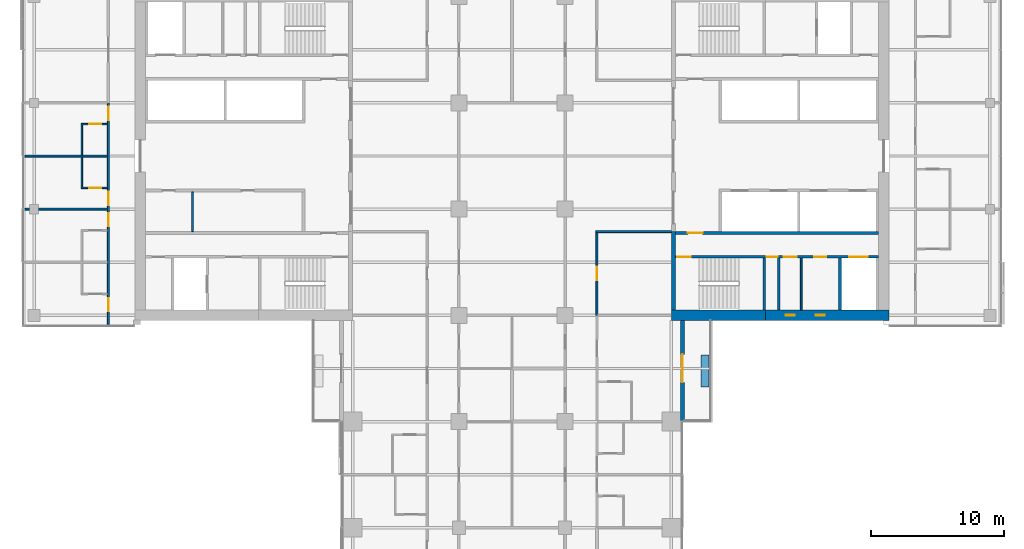
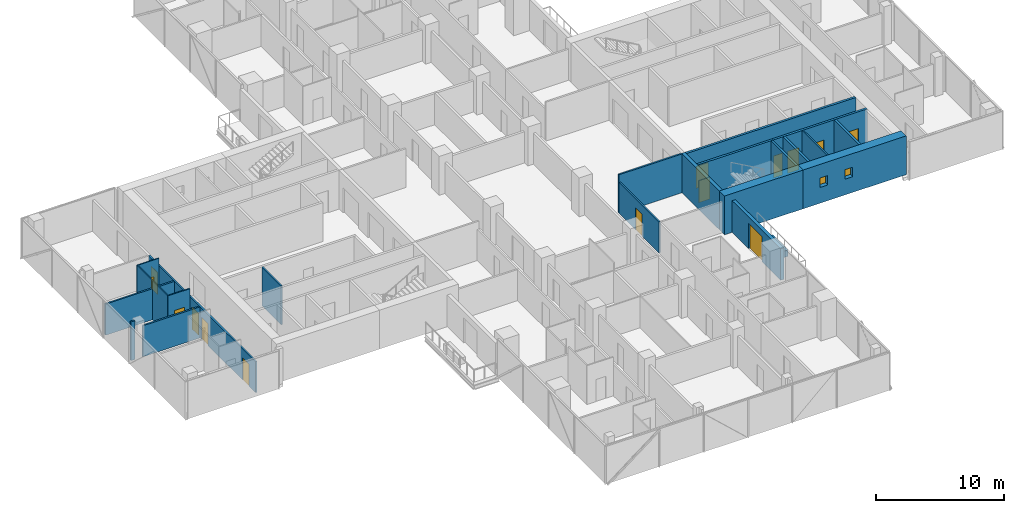
# One storey, part 17 of 27: 23 walls, 14 doors, 2 windows, 16 openings.
"""IFC4 building model written with IfcOpenShell, lengths in metres."""

from ifc_helpers import new_model, si_unit, direction, frame, frame_2d, origin, place, context, subcontext, project, spatial, rectangle, extrude, material, layer, layer_set, constituent, constituent_set, type_object, element, fill, save


model = new_model("IFC4")

# Units and contexts
model_context = context("Model", 3, precision=1e-05, world=origin(), true_north=direction((0.0, 1.0)))
body_context = subcontext(model_context, "Body", "Model", "MODEL_VIEW")
ifc_project = project(units=[si_unit("LENGTHUNIT", "METRE"), si_unit("AREAUNIT", "SQUARE_METRE"), si_unit("VOLUMEUNIT", "CUBIC_METRE"), si_unit("PLANEANGLEUNIT", "RADIAN"), si_unit("MASSUNIT", "GRAM", prefix="KILO")], contexts=[model_context])

# Site, building, storey
site_placement = place(None, origin())
site = spatial("IfcSite", under=ifc_project, at=site_placement, CompositionType="ELEMENT")
building_placement = place(site_placement, origin())
building = spatial("IfcBuilding", under=site, at=building_placement, Name="Crosswind Convention Tower", CompositionType="ELEMENT")
storey_placement = place(building_placement, frame((0.0, 0.0, 79.39990234375)))
storey = spatial("IfcBuildingStorey", under=building, at=storey_placement, Name="L14", CompositionType="ELEMENT", Elevation=79.39990234375)

# Walls
ifc_material_1 = material(Name="Concrete blockwork", Category="masonry")
ifc_layer_1 = layer(ifc_material_1, 0.199951171875)
ifc_layer_set_1 = layer_set([ifc_layer_1], Name="Blockwork partition wall 200")
wall_type_1 = type_object("IfcWallType", Name="Blockwork partition wall 200", PredefinedType="PARTITIONING", material=ifc_layer_set_1)
wall_1_placement = place(storey_placement, frame((145.10009765625, 88.39990234375, 0.0), z_axis=(0.0, 0.0, 1.0), x_axis=(0.0, 1.0, 0.0)))
element("IfcWall", 1, at=wall_1_placement, inside=storey, type_object=wall_type_1, Name="Wall MRSE E L14", PredefinedType="PARTITIONING", context=body_context, shape_type="SweptSolid", body=[
    extrude(rectangle(XDim=3.900146484375, YDim=0.199951171875, at=frame_2d((1.9501953125, 0.0))), origin(), (0.0, 0.0, 1.0), 3.7001953125),
])
ifc_material_2 = material(Name="Plasterboard partition", Category="gypsum")
ifc_layer_2 = layer(ifc_material_2, 0.14990234375)
ifc_layer_set_2 = layer_set([ifc_layer_2], Name="CORRIDOR WALL 150")
wall_type_2 = type_object("IfcWallType", Name="CORRIDOR WALL 150", PredefinedType="PARTITIONING", material=ifc_layer_set_2)
wall_2_placement = place(storey_placement, frame((131.324951171875, 94.300048828125, 0.0), z_axis=(0.0, 0.0, 1.0), x_axis=(1.0, 0.0, 0.0)))
element("IfcWall", 2, at=wall_2_placement, inside=storey, type_object=wall_type_2, Name="Corridor Wall 24", PredefinedType="PARTITIONING", context=body_context, shape_type="SweptSolid", body=[
    extrude(rectangle(XDim=5.675048828125, YDim=0.14990234375, at=frame_2d((2.83740234375, 0.0))), origin(), (0.0, 0.0, 1.0), 3.7001953125),
])

# Wall, opening, door
wall_3_placement = place(storey_placement, frame((131.39990234375, 88.0, 0.0), z_axis=(0.0, 0.0, 1.0), x_axis=(0.0, 1.0, 0.0)))
wall_3 = element("IfcWall", 3, at=wall_3_placement, inside=storey, type_object=wall_type_2, Name="Corridor Wall 110", PredefinedType="PARTITIONING", context=body_context, shape_type="SweptSolid", body=[
    extrude(rectangle(XDim=6.22509765625, YDim=0.14990234375, at=frame_2d((3.112548828125, 0.0))), origin(), (0.0, 0.0, 1.0), 2.95654296875),
])
opening_1_placement = place(wall_3_placement, frame((2.64990234375, 0.0, 0.0)))
opening_1 = element("IfcOpeningElement", 4, at=opening_1_placement, cuts=wall_3, Name="Opening 14.002", PredefinedType="OPENING", context=body_context, shape_type="SweptSolid", body=[
    extrude(rectangle(XDim=1.0, YDim=2.10009765625, at=frame_2d((0.5, 1.050048828125))), frame((0.0, 0.0849609375, 0.0), z_axis=(0.0, -1.0, 0.0), x_axis=(1.0, 0.0, 0.0)), (0.0, 0.0, 1.0), 0.169921875),
])
ifc_material_3 = material(Name="Timber fire door", Category="wood")
door_type_1 = type_object("IfcDoorType", Name="SERVICE ROOM DOOR 1000X2100", OperationType="NOTDEFINED", PredefinedType="DOOR", material=ifc_material_3)
door_1_placement = place(opening_1_placement, frame((1.0, 0.0, 0.0), z_axis=(0.0, 0.0, 1.0), x_axis=(-1.0, 0.0, 0.0)))
door_1 = element("IfcDoor", 5, at=door_1_placement, inside=storey, type_object=door_type_1, Name="Door 14.002", ObjectType="D3", OperationType="SINGLE_SWING_LEFT", OverallHeight=2.10009765625, OverallWidth=1.0, PredefinedType="DOOR", context=body_context, shape_type="SweptSolid", body=[
    extrude(rectangle(XDim=1.0, YDim=2.10009765625, at=frame_2d((0.5, 1.050048828125))), frame((0.0, 0.02490234375, 0.0), z_axis=(0.0, -1.0, 0.0), x_axis=(1.0, 0.0, 0.0)), (0.0, 0.0, 1.0), 0.050048828125),
])
fill(opening_1, door_1)

# Wall
ifc_material_4 = material(Name="Concrete C50/60", Category="concrete")
ifc_layer_3 = layer(ifc_material_4, 0.300048828125)
ifc_layer_set_3 = layer_set([ifc_layer_3], Name="Concrete C50/60")
wall_type_3 = type_object("IfcWallType", Name="Concrete inner core wall 300", PredefinedType="SHEAR", material=ifc_layer_set_3)
wall_4_placement = place(storey_placement, frame((137.14990234375, 88.39990234375, 0.0), z_axis=(0.0, 0.0, 1.0), x_axis=(0.0, 1.0, 0.0)))
element("IfcWall", 6, at=wall_4_placement, inside=storey, type_object=wall_type_3, Name="Wall EM E L14", PredefinedType="SHEAR", context=body_context, shape_type="SweptSolid", body=[
    extrude(rectangle(XDim=5.900146484375, YDim=0.300048828125, at=frame_2d((2.9501953125, 0.0))), origin(), (0.0, 0.0, 1.0), 3.7001953125),
])

# Wall, opening, door
ifc_layer_4 = layer(ifc_material_4, 0.199951171875)
ifc_layer_set_4 = layer_set([ifc_layer_4], Name="Concrete C50/60")
wall_type_4 = type_object("IfcWallType", Name="Concrete shaft and stair wall 200", PredefinedType="SHEAR", material=ifc_layer_set_4)
wall_5_placement = place(storey_placement, frame((137.300048828125, 94.199951171875, 0.0), z_axis=(0.0, 0.0, 1.0), x_axis=(1.0, 0.0, 0.0)))
wall_5 = element("IfcWall", 7, at=wall_5_placement, inside=storey, type_object=wall_type_4, Name="Wall HM E L14", PredefinedType="SHEAR", context=body_context, shape_type="SweptSolid", body=[
    extrude(rectangle(XDim=15.300048828125, YDim=0.199951171875, at=frame_2d((7.64990234375, 0.0))), origin(), (0.0, 0.0, 1.0), 3.7001953125),
])
opening_2_placement = place(wall_5_placement, frame((0.949951171875, 0.0, 0.0)))
opening_2 = element("IfcOpeningElement", 8, at=opening_2_placement, cuts=wall_5, Name="Opening D104", PredefinedType="OPENING", context=body_context, shape_type="SweptSolid", body=[
    extrude(rectangle(XDim=1.10009765625, YDim=2.10009765625, at=frame_2d((0.550048828125, 1.050048828125))), frame((0.0, 0.10986328125, 0.0), z_axis=(0.0, -1.0, 0.0), x_axis=(1.0, 0.0, 0.0)), (0.0, 0.0, 1.0), 0.219970703125),
])
ifc_material_5 = material(Name="Steel fire door", Category="steel")
door_type_2 = type_object("IfcDoorType", Name="Fire-rated single door 1100x2100", OperationType="NOTDEFINED", PredefinedType="DOOR", material=ifc_material_5)
door_2_placement = place(opening_2_placement, origin())
door_2 = element("IfcDoor", 9, at=door_2_placement, inside=storey, type_object=door_type_2, Name="Corridor door L14", ObjectType="D104", OperationType="SINGLE_SWING_LEFT", OverallHeight=2.10009765625, OverallWidth=1.10009765625, PredefinedType="DOOR", context=body_context, shape_type="SweptSolid", body=[
    extrude(rectangle(XDim=1.10009765625, YDim=2.10009765625, at=frame_2d((0.550048828125, 1.050048828125))), frame((0.0, 0.02490234375, 0.0), z_axis=(0.0, -1.0, 0.0), x_axis=(1.0, 0.0, 0.0)), (0.0, 0.0, 1.0), 0.050048828125),
])
fill(opening_2, door_2)

# Walls
for number, where, z_axis, x_axis, name in (
    (10, (144.0, 88.39990234375, 0.0), (0.0, 0.0, 1.0), (0.0, 1.0, 0.0), "Wall MSE E L14"),
    (11, (149.699951171875, 88.39990234375, 0.0), (0.0, 0.0, 1.0), (0.0, 1.0, 0.0), "Wall MFSW E L14"),
):
    element("IfcWall", number, at=place(storey_placement, frame(where, z_axis=z_axis, x_axis=x_axis)), inside=storey, type_object=wall_type_4, Name=name, PredefinedType="SHEAR", context=body_context, shape_type="SweptSolid", body=[
        extrude(rectangle(XDim=3.900146484375, YDim=0.199951171875, at=frame_2d((1.9501953125, 0.0))), origin(), (0.0, 0.0, 1.0), 3.7001953125),
    ])

# Wall, opening, door
wall_6_placement = place(storey_placement, frame((137.300048828125, 92.39990234375, 0.0), z_axis=(0.0, 0.0, 1.0), x_axis=(1.0, 0.0, 0.0)))
wall_6 = element("IfcWall", 12, at=wall_6_placement, inside=storey, type_object=wall_type_4, Name="Wall MCW E L14", PredefinedType="SHEAR", context=body_context, shape_type="SweptSolid", body=[
    extrude(rectangle(XDim=6.800048828125, YDim=0.199951171875, at=frame_2d((3.39990234375, 0.0))), origin(), (0.0, 0.0, 1.0), 3.7001953125),
])
opening_3_placement = place(wall_6_placement, frame((0.14990234375, 0.0, 0.0)))
opening_3 = element("IfcOpeningElement", 13, at=opening_3_placement, cuts=wall_6, Name="Opening D103", PredefinedType="OPENING", context=body_context, shape_type="SweptSolid", body=[
    extrude(rectangle(XDim=1.0, YDim=2.10009765625, at=frame_2d((0.5, 1.050048828125))), frame((0.0, 0.10986328125, 0.0), z_axis=(0.0, -1.0, 0.0), x_axis=(1.0, 0.0, 0.0)), (0.0, 0.0, 1.0), 0.219970703125),
])
door_type_3 = type_object("IfcDoorType", Name="Fire-rated single door 1000x2100", OperationType="NOTDEFINED", PredefinedType="DOOR", material=ifc_material_5)
door_3_placement = place(opening_3_placement, frame((1.0, 0.0, 0.0), z_axis=(0.0, 0.0, 1.0), x_axis=(-1.0, 0.0, 0.0)))
door_3 = element("IfcDoor", 14, at=door_3_placement, inside=storey, type_object=door_type_3, Name="Stair ST2 door L14", ObjectType="D103", OperationType="SINGLE_SWING_RIGHT", OverallHeight=2.10009765625, OverallWidth=1.0, PredefinedType="DOOR", context=body_context, shape_type="SweptSolid", body=[
    extrude(rectangle(XDim=1.0, YDim=2.10009765625, at=frame_2d((0.5, 1.050048828125))), frame((0.0, 0.02490234375, 0.0), z_axis=(0.0, -1.0, 0.0), x_axis=(1.0, 0.0, 0.0)), (0.0, 0.0, 1.0), 0.050048828125),
])
fill(opening_3, door_3)

# Wall, openings, doors
wall_7_placement = place(storey_placement, frame((144.10009765625, 92.39990234375, 0.0), z_axis=(0.0, 0.0, 1.0), x_axis=(1.0, 0.0, 0.0)))
wall_7 = element("IfcWall", 15, at=wall_7_placement, inside=storey, type_object=wall_type_4, Name="Wall MCX E L14", PredefinedType="SHEAR", context=body_context, shape_type="SweptSolid", body=[
    extrude(rectangle(XDim=8.5, YDim=0.199951171875, at=frame_2d((4.25, 0.0))), origin(), (0.0, 0.0, 1.0), 3.7001953125),
])
opening_4_placement = place(wall_7_placement, frame((0.10009765625, 0.0, 0.0)))
opening_4 = element("IfcOpeningElement", 16, at=opening_4_placement, cuts=wall_7, Name="Opening D105", PredefinedType="OPENING", context=body_context, shape_type="SweptSolid", body=[
    extrude(rectangle(XDim=0.800048828125, YDim=2.10009765625, at=frame_2d((0.39990234375, 1.050048828125))), frame((0.0, 0.10986328125, 0.0), z_axis=(0.0, -1.0, 0.0), x_axis=(1.0, 0.0, 0.0)), (0.0, 0.0, 1.0), 0.219970703125),
])
opening_5_placement = place(wall_7_placement, frame((1.36083984375, 0.0, 0.0)))
opening_5 = element("IfcOpeningElement", 17, at=opening_5_placement, cuts=wall_7, Name="Opening D103", PredefinedType="OPENING", context=body_context, shape_type="SweptSolid", body=[
    extrude(rectangle(XDim=1.0, YDim=2.10009765625, at=frame_2d((0.5, 1.050048828125))), frame((0.0, 0.10986328125, 0.0), z_axis=(0.0, -1.0, 0.0), x_axis=(1.0, 0.0, 0.0)), (0.0, 0.0, 1.0), 0.219970703125),
])
opening_6_placement = place(wall_7_placement, frame((3.67333984375, 0.0, 0.0)))
opening_6 = element("IfcOpeningElement", 18, at=opening_6_placement, cuts=wall_7, Name="Opening D106", PredefinedType="OPENING", context=body_context, shape_type="SweptSolid", body=[
    extrude(rectangle(XDim=0.89990234375, YDim=2.10009765625, at=frame_2d((0.449951171875, 1.050048828125))), frame((0.0, 0.10986328125, 0.0), z_axis=(0.0, -1.0, 0.0), x_axis=(1.0, 0.0, 0.0)), (0.0, 0.0, 1.0), 0.219970703125),
])
opening_7_placement = place(wall_7_placement, frame((6.300048828125, 0.0, 0.0)))
opening_7 = element("IfcOpeningElement", 19, at=opening_7_placement, cuts=wall_7, Name="Opening LD2", PredefinedType="OPENING", context=body_context, shape_type="SweptSolid", body=[
    extrude(rectangle(XDim=1.39990234375, YDim=2.10009765625, at=frame_2d((0.699951171875, 1.050048828125))), frame((0.0, 0.10986328125, 0.0), z_axis=(0.0, -1.0, 0.0), x_axis=(1.0, 0.0, 0.0)), (0.0, 0.0, 1.0), 0.219970703125),
])
door_4_placement = place(opening_5_placement, frame((1.0, 0.0, 0.0), z_axis=(0.0, 0.0, 1.0), x_axis=(-1.0, 0.0, 0.0)))
door_4 = element("IfcDoor", 20, at=door_4_placement, inside=storey, type_object=door_type_3, Name="Door to accessible wc L14", ObjectType="D103", OperationType="SINGLE_SWING_LEFT", OverallHeight=2.10009765625, OverallWidth=1.0, PredefinedType="DOOR", context=body_context, shape_type="SweptSolid", body=[
    extrude(rectangle(XDim=1.0, YDim=2.10009765625, at=frame_2d((0.5, 1.050048828125))), frame((0.0, 0.02490234375, 0.0), z_axis=(0.0, -1.0, 0.0), x_axis=(1.0, 0.0, 0.0)), (0.0, 0.0, 1.0), 0.050048828125),
])
fill(opening_5, door_4)
ifc_material_6 = material(Name="Stainless steel", Category="steel")
door_type_4 = type_object("IfcDoorType", Name="Lift landing door 1400x2100", OperationType="DOUBLE_DOOR_SLIDING", PredefinedType="DOOR", material=ifc_material_6)
door_5_placement = place(opening_7_placement, origin())
door_5 = element("IfcDoor", 21, at=door_5_placement, inside=storey, type_object=door_type_4, Name="Landing door SV1 L14", ObjectType="LD2", OperationType="DOUBLE_DOOR_SLIDING", OverallHeight=2.10009765625, OverallWidth=1.39990234375, PredefinedType="DOOR", context=body_context, shape_type="SweptSolid", body=[
    extrude(rectangle(XDim=1.39990234375, YDim=2.10009765625, at=frame_2d((0.699951171875, 1.050048828125))), frame((0.0, 0.02490234375, 0.0), z_axis=(0.0, -1.0, 0.0), x_axis=(1.0, 0.0, 0.0)), (0.0, 0.0, 1.0), 0.050048828125),
])
fill(opening_7, door_5)
door_type_5 = type_object("IfcDoorType", Name="Riser access door 800x2100", OperationType="NOTDEFINED", PredefinedType="DOOR", material=ifc_material_5)
door_6_placement = place(opening_4_placement, frame((0.800048828125, 0.0, 0.0), z_axis=(0.0, 0.0, 1.0), x_axis=(-1.0, 0.0, 0.0)))
door_6 = element("IfcDoor", 22, at=door_6_placement, inside=storey, type_object=door_type_5, Name="Riser door L14", ObjectType="D105", OperationType="SINGLE_SWING_LEFT", OverallHeight=2.10009765625, OverallWidth=0.800048828125, PredefinedType="DOOR", context=body_context, shape_type="SweptSolid", body=[
    extrude(rectangle(XDim=0.800048828125, YDim=2.10009765625, at=frame_2d((0.39990234375, 1.050048828125))), frame((0.0, 0.02490234375, 0.0), z_axis=(0.0, -1.0, 0.0), x_axis=(1.0, 0.0, 0.0)), (0.0, 0.0, 1.0), 0.050048828125),
])
fill(opening_4, door_6)
ifc_material_7 = material(Name="Timber door", Category="wood")
door_type_6 = type_object("IfcDoorType", Name="Single leaf door 900x2100", OperationType="NOTDEFINED", PredefinedType="DOOR", material=ifc_material_7)
door_7_placement = place(opening_6_placement, frame((0.89990234375, 0.0, 0.0), z_axis=(0.0, 0.0, 1.0), x_axis=(-1.0, 0.0, 0.0)))
door_7 = element("IfcDoor", 23, at=door_7_placement, inside=storey, type_object=door_type_6, Name="Door to wc L14", ObjectType="D106", OperationType="SINGLE_SWING_LEFT", OverallHeight=2.10009765625, OverallWidth=0.89990234375, PredefinedType="DOOR", context=body_context, shape_type="SweptSolid", body=[
    extrude(rectangle(XDim=0.89990234375, YDim=2.10009765625, at=frame_2d((0.449951171875, 1.050048828125))), frame((0.0, 0.02490234375, 0.0), z_axis=(0.0, -1.0, 0.0), x_axis=(1.0, 0.0, 0.0)), (0.0, 0.0, 1.0), 0.050048828125),
])
fill(opening_6, door_7)

# Walls
ifc_material_8 = material(Name="Gypsum plasterboard partition", Category="gypsum")
ifc_layer_5 = layer(ifc_material_8, 0.125)
ifc_layer_set_5 = layer_set([ifc_layer_5], Name="Drywall partition wall 125")
wall_type_5 = type_object("IfcWallType", Name="Drywall partition wall 125", PredefinedType="PARTITIONING", material=ifc_layer_set_5)
wall_8_placement = place(storey_placement, frame((146.783935546875, 88.39990234375, 0.0), z_axis=(0.0, 0.0, 1.0), x_axis=(0.0, 1.0, 0.0)))
element("IfcWall", 24, at=wall_8_placement, inside=storey, type_object=wall_type_5, Name="Wall MWP1 E L14", PredefinedType="PARTITIONING", context=body_context, shape_type="SweptSolid", body=[
    extrude(rectangle(XDim=3.900146484375, YDim=0.125, at=frame_2d((1.9501953125, 0.0))), origin(), (0.0, 0.0, 1.0), 3.7001953125),
])
wall_9_placement = place(storey_placement, frame((100.93994140625, 97.300048828125, 0.0), z_axis=(0.0, 0.0, 1.0), x_axis=(0.0, -1.0, 0.0)))
element("IfcWall", 25, at=wall_9_placement, inside=storey, type_object=wall_type_5, Name="Wall RPP1 W L14", PredefinedType="PARTITIONING", context=body_context, shape_type="SweptSolid", body=[
    extrude(rectangle(XDim=3.0, YDim=0.125, at=frame_2d((1.5, 0.0))), origin(), (0.0, 0.0, 1.0), 3.7001953125),
])
ifc_material_9 = material(Name="Acoustic plasterboard partition", Category="gypsum")
ifc_layer_6 = layer(ifc_material_9, 0.14990234375)
ifc_layer_set_6 = layer_set([ifc_layer_6], Name="GUEST ROOM WALL 150")
wall_type_6 = type_object("IfcWallType", Name="GUEST ROOM WALL 150", PredefinedType="PARTITIONING", material=ifc_layer_set_6)
wall_10_placement = place(storey_placement, frame((88.300048828125, 96.0, 0.0), z_axis=(0.0, 0.0, 1.0), x_axis=(1.0, 0.0, 0.0)))
element("IfcWall", 26, at=wall_10_placement, inside=storey, type_object=wall_type_6, Name="Guest Room Wall 26", PredefinedType="PARTITIONING", context=body_context, shape_type="SweptSolid", body=[
    extrude(rectangle(XDim=0.349853515625, YDim=0.14990234375, at=frame_2d((0.1748046875, 0.0))), origin(), (0.0, 0.0, 1.0), 3.7001953125),
])
wall_11_placement = place(storey_placement, frame((89.35009765625, 96.0, 0.0), z_axis=(0.0, 0.0, 1.0), x_axis=(1.0, 0.0, 0.0)))
element("IfcWall", 27, at=wall_11_placement, inside=storey, type_object=wall_type_6, Name="Guest Room Wall 27", PredefinedType="PARTITIONING", context=body_context, shape_type="SweptSolid", body=[
    extrude(rectangle(XDim=5.1748046875, YDim=0.14990234375, at=frame_2d((2.58740234375, 0.0))), origin(), (0.0, 0.0, 1.0), 2.95654296875),
])
wall_12_placement = place(storey_placement, frame((88.300048828125, 100.0, 0.0), z_axis=(0.0, 0.0, 1.0), x_axis=(1.0, 0.0, 0.0)))
element("IfcWall", 28, at=wall_12_placement, inside=storey, type_object=wall_type_6, Name="Guest Room Wall 32", PredefinedType="PARTITIONING", context=body_context, shape_type="SweptSolid", body=[
    extrude(rectangle(XDim=6.224853515625, YDim=0.14990234375, at=frame_2d((3.1123046875, 0.0))), origin(), (0.0, 0.0, 1.0), 2.962890625),
])

# Wall, openings, doors
wall_13_placement = place(storey_placement, frame((94.60009765625, 87.300048828125, 0.0), z_axis=(0.0, 0.0, 1.0), x_axis=(0.0, 1.0, 0.0)))
wall_13 = element("IfcWall", 29, at=wall_13_placement, inside=storey, type_object=wall_type_6, Name="Guest Room Wall 65", PredefinedType="PARTITIONING", context=body_context, shape_type="SweptSolid", body=[
    extrude(rectangle(XDim=16.699951171875, YDim=0.14990234375, at=frame_2d((8.35009765625, 0.0))), origin(), (0.0, 0.0, 1.0), 2.95654296875),
])
opening_8_placement = place(wall_13_placement, frame((1.0, 0.0, 0.0)))
opening_8 = element("IfcOpeningElement", 30, at=opening_8_placement, cuts=wall_13, Name="Opening 14.039", PredefinedType="OPENING", context=body_context, shape_type="SweptSolid", body=[
    extrude(rectangle(XDim=1.0, YDim=2.10009765625, at=frame_2d((0.5, 1.050048828125))), frame((0.0, 0.0849609375, 0.0), z_axis=(0.0, -1.0, 0.0), x_axis=(1.0, 0.0, 0.0)), (0.0, 0.0, 1.0), 0.169921875),
])
opening_9_placement = place(wall_13_placement, frame((7.39990234375, 0.0, 0.0)))
opening_9 = element("IfcOpeningElement", 31, at=opening_9_placement, cuts=wall_13, Name="Opening 14.041", PredefinedType="OPENING", context=body_context, shape_type="SweptSolid", body=[
    extrude(rectangle(XDim=1.0, YDim=2.10009765625, at=frame_2d((0.5, 1.050048828125))), frame((0.0, 0.0849609375, 0.0), z_axis=(0.0, -1.0, 0.0), x_axis=(1.0, 0.0, 0.0)), (0.0, 0.0, 1.0), 0.169921875),
])
opening_10_placement = place(wall_13_placement, frame((9.0, 0.0, 0.0)))
opening_10 = element("IfcOpeningElement", 32, at=opening_10_placement, cuts=wall_13, Name="Opening 14.043", PredefinedType="OPENING", context=body_context, shape_type="SweptSolid", body=[
    extrude(rectangle(XDim=1.0, YDim=2.10009765625, at=frame_2d((0.5, 1.050048828125))), frame((0.0, 0.0849609375, 0.0), z_axis=(0.0, -1.0, 0.0), x_axis=(1.0, 0.0, 0.0)), (0.0, 0.0, 1.0), 0.169921875),
])
opening_11_placement = place(wall_13_placement, frame((15.39990234375, 0.0, 0.0)))
opening_11 = element("IfcOpeningElement", 33, at=opening_11_placement, cuts=wall_13, Name="Opening 14.045", PredefinedType="OPENING", context=body_context, shape_type="SweptSolid", body=[
    extrude(rectangle(XDim=1.0, YDim=2.10009765625, at=frame_2d((0.5, 1.050048828125))), frame((0.0, 0.0849609375, 0.0), z_axis=(0.0, -1.0, 0.0), x_axis=(1.0, 0.0, 0.0)), (0.0, 0.0, 1.0), 0.169921875),
])
door_type_7 = type_object("IfcDoorType", Name="GUEST ROOM DOOR 1000X2100", OperationType="NOTDEFINED", PredefinedType="DOOR", material=ifc_material_3)
door_8_placement = place(opening_8_placement, origin())
door_8 = element("IfcDoor", 34, at=door_8_placement, inside=storey, type_object=door_type_7, Name="Door 14.039", ObjectType="D1", OperationType="SINGLE_SWING_RIGHT", OverallHeight=2.10009765625, OverallWidth=1.0, PredefinedType="DOOR", context=body_context, shape_type="SweptSolid", body=[
    extrude(rectangle(XDim=1.0, YDim=2.10009765625, at=frame_2d((0.5, 1.050048828125))), frame((0.0, 0.02490234375, 0.0), z_axis=(0.0, -1.0, 0.0), x_axis=(1.0, 0.0, 0.0)), (0.0, 0.0, 1.0), 0.050048828125),
])
fill(opening_8, door_8)
door_9_placement = place(opening_9_placement, origin())
door_9 = element("IfcDoor", 35, at=door_9_placement, inside=storey, type_object=door_type_7, Name="Door 14.041", ObjectType="D1", OperationType="SINGLE_SWING_RIGHT", OverallHeight=2.10009765625, OverallWidth=1.0, PredefinedType="DOOR", context=body_context, shape_type="SweptSolid", body=[
    extrude(rectangle(XDim=1.0, YDim=2.10009765625, at=frame_2d((0.5, 1.050048828125))), frame((0.0, 0.02490234375, 0.0), z_axis=(0.0, -1.0, 0.0), x_axis=(1.0, 0.0, 0.0)), (0.0, 0.0, 1.0), 0.050048828125),
])
fill(opening_9, door_9)
door_10_placement = place(opening_10_placement, origin())
door_10 = element("IfcDoor", 36, at=door_10_placement, inside=storey, type_object=door_type_7, Name="Door 14.043", ObjectType="D1", OperationType="SINGLE_SWING_RIGHT", OverallHeight=2.10009765625, OverallWidth=1.0, PredefinedType="DOOR", context=body_context, shape_type="SweptSolid", body=[
    extrude(rectangle(XDim=1.0, YDim=2.10009765625, at=frame_2d((0.5, 1.050048828125))), frame((0.0, 0.02490234375, 0.0), z_axis=(0.0, -1.0, 0.0), x_axis=(1.0, 0.0, 0.0)), (0.0, 0.0, 1.0), 0.050048828125),
])
fill(opening_10, door_10)
door_11_placement = place(opening_11_placement, origin())
door_11 = element("IfcDoor", 37, at=door_11_placement, inside=storey, type_object=door_type_7, Name="Door 14.045", ObjectType="D1", OperationType="SINGLE_SWING_RIGHT", OverallHeight=2.10009765625, OverallWidth=1.0, PredefinedType="DOOR", context=body_context, shape_type="SweptSolid", body=[
    extrude(rectangle(XDim=1.0, YDim=2.10009765625, at=frame_2d((0.5, 1.050048828125))), frame((0.0, 0.02490234375, 0.0), z_axis=(0.0, -1.0, 0.0), x_axis=(1.0, 0.0, 0.0)), (0.0, 0.0, 1.0), 0.050048828125),
])
fill(opening_11, door_11)

# Wall
ifc_material_10 = material(Name="Concrete C30/37", Category="concrete")
ifc_layer_7 = layer(ifc_material_10, 0.60009765625)
ifc_layer_set_7 = layer_set([ifc_layer_7], Name="Concrete C30/37")
wall_type_7 = type_object("IfcWallType", Name="PLANTER BOX WALL 600", PredefinedType="SOLIDWALL", material=ifc_layer_set_7)
wall_14_placement = place(storey_placement, frame((139.550048828125, 82.60009765625, 0.0), z_axis=(0.0, 0.0, 1.0), x_axis=(0.0, 1.0, 0.0)))
element("IfcWall", 38, at=wall_14_placement, inside=storey, type_object=wall_type_7, Name="PLANTER L14 S-E.1-3", PredefinedType="SOLIDWALL", context=body_context, shape_type="SweptSolid", body=[
    extrude(rectangle(XDim=2.39990234375, YDim=0.60009765625, at=frame_2d((1.199951171875, 0.0))), origin(), (0.0, 0.0, 1.0), 0.60009765625),
])

# Wall, opening, door
ifc_material_11 = material(Name="Terracotta rainscreen", Category="ceramic")
ifc_layer_8 = layer(ifc_material_11, 0.02001953125)
ifc_material_12 = material(Name="Mineral wool insulation", Category="insulation")
ifc_layer_9 = layer(ifc_material_12, 0.10009765625)
ifc_layer_10 = layer(ifc_material_1, 0.179931640625)
ifc_layer_set_8 = layer_set([ifc_layer_8, ifc_layer_9, ifc_layer_10], Name="TERRACOTTA INFILL WALL 300")
wall_type_8 = type_object("IfcWallType", Name="TERRACOTTA INFILL WALL 300", PredefinedType="SOLIDWALL", material=ifc_layer_set_8)
wall_15_placement = place(storey_placement, frame((137.85009765625, 80.032470703125, 0.0), z_axis=(0.0, 0.0, 1.0), x_axis=(0.0, 1.0, 0.0)))
wall_15 = element("IfcWall", 39, at=wall_15_placement, inside=storey, type_object=wall_type_8, Name="Notch front wall L14 S-E.1-3", PredefinedType="SOLIDWALL", context=body_context, shape_type="SweptSolid", body=[
    extrude(rectangle(XDim=7.567626953125, YDim=0.300048828125, at=frame_2d((3.78369140625, 0.0))), origin(), (0.0, 0.0, 1.0), 3.013671875),
])
opening_12_placement = place(wall_15_placement, frame((2.91748046875, 0.0, 0.0)))
opening_12 = element("IfcOpeningElement", 40, at=opening_12_placement, cuts=wall_15, Name="Opening D141", PredefinedType="OPENING", context=body_context, shape_type="SweptSolid", body=[
    extrude(rectangle(XDim=2.10009765625, YDim=2.39990234375, at=frame_2d((1.050048828125, 1.199951171875))), frame((0.0, 0.159912109375, 0.0), z_axis=(0.0, -1.0, 0.0), x_axis=(1.0, 0.0, 0.0)), (0.0, 0.0, 1.0), 0.320068359375),
])
ifc_material_13 = material(Name="Aluminium glazed door", Category="aluminium")
door_type_8 = type_object("IfcDoorType", Name="BALCONY SLIDING DOOR 2100X2400", OperationType="SLIDING_TO_LEFT", PredefinedType="DOOR", material=ifc_material_13)
door_12_placement = place(opening_12_placement, frame((2.10009765625, 0.0, 0.0), z_axis=(0.0, 0.0, 1.0), x_axis=(-1.0, 0.0, 0.0)))
door_12 = element("IfcDoor", 41, at=door_12_placement, inside=storey, type_object=door_type_8, Name="D141 balcony door L14 S-E.1-3", ObjectType="D141", OperationType="SLIDING_TO_LEFT", OverallHeight=2.39990234375, OverallWidth=2.10009765625, PredefinedType="DOOR", context=body_context, shape_type="SweptSolid", body=[
    extrude(rectangle(XDim=2.10009765625, YDim=2.39990234375, at=frame_2d((1.050048828125, 1.199951171875))), frame((0.0, 0.02490234375, 0.0), z_axis=(0.0, -1.0, 0.0), x_axis=(1.0, 0.0, 0.0)), (0.0, 0.0, 1.0), 0.050048828125),
])
fill(opening_12, door_12)

# Wall
ifc_material_14 = material(Name="Concrete C60/75", Category="concrete")
ifc_constituent_1 = constituent(ifc_material_14, Name="Structure")
ifc_constituent_2 = constituent(ifc_material_11, Name="Facing")
ifc_constituent_set = constituent_set(constituents=[ifc_constituent_1, ifc_constituent_2], Name="Concrete C60/75, Terracotta rainscreen")
wall_type_9 = type_object("IfcWallType", Name="Terracotta rainscreen on concrete core wall 800", PredefinedType="SHEAR", material=ifc_constituent_set)
wall_16_placement = place(storey_placement, frame((137.0, 88.0, 0.0), z_axis=(0.0, 0.0, 1.0), x_axis=(1.0, 0.0, 0.0)))
element("IfcWall", 42, at=wall_16_placement, inside=storey, type_object=wall_type_9, Name="Wall S1 E L14", PredefinedType="SHEAR", context=body_context, shape_type="SweptSolid", body=[
    extrude(rectangle(XDim=7.10009765625, YDim=0.800048828125, at=frame_2d((3.550048828125, 0.0))), origin(), (0.0, 0.0, 1.0), 3.7001953125),
])

# Wall, openings, windows
wall_17_placement = place(storey_placement, frame((144.10009765625, 88.0, 0.0), z_axis=(0.0, 0.0, 1.0), x_axis=(1.0, 0.0, 0.0)))
wall_17 = element("IfcWall", 43, at=wall_17_placement, inside=storey, type_object=wall_type_9, Name="Wall S2 E L14", PredefinedType="SHEAR", context=body_context, shape_type="SweptSolid", body=[
    extrude(rectangle(XDim=9.2998046875, YDim=0.800048828125, at=frame_2d((4.64990234375, 0.0))), origin(), (0.0, 0.0, 1.0), 3.7001953125),
])
opening_13_placement = place(wall_17_placement, frame((1.5107421875, 0.0, 1.5)))
opening_13 = element("IfcOpeningElement", 44, at=opening_13_placement, cuts=wall_17, Name="Opening W2", PredefinedType="OPENING", context=body_context, shape_type="SweptSolid", body=[
    extrude(rectangle(XDim=0.699951171875, YDim=0.89990234375, at=frame_2d((0.35009765625, 0.449951171875))), frame((0.0, 0.409912109375, 0.0), z_axis=(0.0, -1.0, 0.0), x_axis=(1.0, 0.0, 0.0)), (0.0, 0.0, 1.0), 0.820068359375),
])
opening_14_placement = place(wall_17_placement, frame((3.773193359375, 0.0, 1.5)))
opening_14 = element("IfcOpeningElement", 45, at=opening_14_placement, cuts=wall_17, Name="Opening W2", PredefinedType="OPENING", context=body_context, shape_type="SweptSolid", body=[
    extrude(rectangle(XDim=0.699951171875, YDim=0.89990234375, at=frame_2d((0.35009765625, 0.449951171875))), frame((0.0, 0.409912109375, 0.0), z_axis=(0.0, -1.0, 0.0), x_axis=(1.0, 0.0, 0.0)), (0.0, 0.0, 1.0), 0.820068359375),
])
ifc_material_15 = material(Name="Obscure glass in aluminium frame", Category="aluminium")
window_type = type_object("IfcWindowType", Name="WC window 700x900", PartitioningType="SINGLE_PANEL", PredefinedType="WINDOW", material=ifc_material_15)
window_1_placement = place(opening_13_placement, origin())
window_1 = element("IfcWindow", 46, at=window_1_placement, inside=storey, type_object=window_type, Name="WC window L14", ObjectType="W2", OverallHeight=0.89990234375, OverallWidth=0.699951171875, PartitioningType="SINGLE_PANEL", PredefinedType="WINDOW", context=body_context, shape_type="SweptSolid", body=[
    extrude(rectangle(XDim=0.699951171875, YDim=0.89990234375, at=frame_2d((0.35009765625, 0.449951171875))), frame((0.0, 0.030029296875, 0.0), z_axis=(0.0, -1.0, 0.0), x_axis=(1.0, 0.0, 0.0)), (0.0, 0.0, 1.0), 0.06005859375),
])
fill(opening_13, window_1)
window_2_placement = place(opening_14_placement, origin())
window_2 = element("IfcWindow", 47, at=window_2_placement, inside=storey, type_object=window_type, Name="WC window L14", ObjectType="W2", OverallHeight=0.89990234375, OverallWidth=0.699951171875, PartitioningType="SINGLE_PANEL", PredefinedType="WINDOW", context=body_context, shape_type="SweptSolid", body=[
    extrude(rectangle(XDim=0.699951171875, YDim=0.89990234375, at=frame_2d((0.35009765625, 0.449951171875))), frame((0.0, 0.030029296875, 0.0), z_axis=(0.0, -1.0, 0.0), x_axis=(1.0, 0.0, 0.0)), (0.0, 0.0, 1.0), 0.06005859375),
])
fill(opening_14, window_2)

# Wall, opening, door
ifc_material_16 = material(Name="Water-resistant plasterboard partition", Category="gypsum")
ifc_layer_11 = layer(ifc_material_16, 0.10009765625)
ifc_layer_set_9 = layer_set([ifc_layer_11], Name="WET ROOM PARTITION 100")
wall_type_10 = type_object("IfcWallType", Name="WET ROOM PARTITION 100", PredefinedType="PLUMBINGWALL", material=ifc_layer_set_9)
wall_18_placement = place(storey_placement, frame((92.550048828125, 97.60009765625, 0.0), z_axis=(0.0, 0.0, 1.0), x_axis=(1.0, 0.0, 0.0)))
wall_18 = element("IfcWall", 48, at=wall_18_placement, inside=storey, type_object=wall_type_10, Name="Wet Room Partition 30", PredefinedType="PLUMBINGWALL", context=body_context, shape_type="SweptSolid", body=[
    extrude(rectangle(XDim=1.974853515625, YDim=0.10009765625, at=frame_2d((0.9873046875, 0.0))), origin(), (0.0, 0.0, 1.0), 3.7001953125),
])
opening_15_placement = place(wall_18_placement, frame((0.60009765625, 0.0, 0.0)))
opening_15 = element("IfcOpeningElement", 49, at=opening_15_placement, cuts=wall_18, Name="Opening 14.044", PredefinedType="OPENING", context=body_context, shape_type="SweptSolid", body=[
    extrude(rectangle(XDim=0.89990234375, YDim=2.10009765625, at=frame_2d((0.449951171875, 1.050048828125))), frame((0.0, 0.06005859375, 0.0), z_axis=(0.0, -1.0, 0.0), x_axis=(1.0, 0.0, 0.0)), (0.0, 0.0, 1.0), 0.1201171875),
])
door_type_9 = type_object("IfcDoorType", Name="EN-SUITE DOOR 900X2100", OperationType="NOTDEFINED", PredefinedType="DOOR", material=ifc_material_7)
door_13_placement = place(opening_15_placement, origin())
door_13 = element("IfcDoor", 50, at=door_13_placement, inside=storey, type_object=door_type_9, Name="Door 14.044", ObjectType="D2", OperationType="SINGLE_SWING_RIGHT", OverallHeight=2.10009765625, OverallWidth=0.89990234375, PredefinedType="DOOR", context=body_context, shape_type="SweptSolid", body=[
    extrude(rectangle(XDim=0.89990234375, YDim=2.10009765625, at=frame_2d((0.449951171875, 1.050048828125))), frame((0.0, 0.02490234375, 0.0), z_axis=(0.0, -1.0, 0.0), x_axis=(1.0, 0.0, 0.0)), (0.0, 0.0, 1.0), 0.050048828125),
])
fill(opening_15, door_13)

wall_19_placement = place(storey_placement, frame((92.550048828125, 102.39990234375, 0.0), z_axis=(0.0, 0.0, 1.0), x_axis=(1.0, 0.0, 0.0)))
wall_19 = element("IfcWall", 51, at=wall_19_placement, inside=storey, type_object=wall_type_10, Name="Wet Room Partition 33", PredefinedType="PLUMBINGWALL", context=body_context, shape_type="SweptSolid", body=[
    extrude(rectangle(XDim=1.974853515625, YDim=0.10009765625, at=frame_2d((0.9873046875, 0.0))), origin(), (0.0, 0.0, 1.0), 3.7001953125),
])
opening_16_placement = place(wall_19_placement, frame((0.60009765625, 0.0, 0.0)))
opening_16 = element("IfcOpeningElement", 52, at=opening_16_placement, cuts=wall_19, Name="Opening 14.046", PredefinedType="OPENING", context=body_context, shape_type="SweptSolid", body=[
    extrude(rectangle(XDim=0.89990234375, YDim=2.10009765625, at=frame_2d((0.449951171875, 1.050048828125))), frame((0.0, 0.06005859375, 0.0), z_axis=(0.0, -1.0, 0.0), x_axis=(1.0, 0.0, 0.0)), (0.0, 0.0, 1.0), 0.1201171875),
])
door_14_placement = place(opening_16_placement, frame((0.89990234375, 0.0, 0.0), z_axis=(0.0, 0.0, 1.0), x_axis=(-1.0, 0.0, 0.0)))
door_14 = element("IfcDoor", 53, at=door_14_placement, inside=storey, type_object=door_type_9, Name="Door 14.046", ObjectType="D2", OperationType="SINGLE_SWING_LEFT", OverallHeight=2.10009765625, OverallWidth=0.89990234375, PredefinedType="DOOR", context=body_context, shape_type="SweptSolid", body=[
    extrude(rectangle(XDim=0.89990234375, YDim=2.10009765625, at=frame_2d((0.449951171875, 1.050048828125))), frame((0.0, 0.02490234375, 0.0), z_axis=(0.0, -1.0, 0.0), x_axis=(1.0, 0.0, 0.0)), (0.0, 0.0, 1.0), 0.050048828125),
])
fill(opening_16, door_14)

# Walls
for number, where, z_axis, x_axis, name in (
    (54, (92.60009765625, 97.64990234375, 0.0), (0.0, 0.0, 1.0), (0.0, 1.0, 0.0), "Wet Room Partition 63"),
    (55, (92.60009765625, 100.074951171875, 0.0), (0.0, 0.0, 1.0), (0.0, 1.0, 0.0), "Wet Room Partition 64"),
):
    element("IfcWall", number, at=place(storey_placement, frame(where, z_axis=z_axis, x_axis=x_axis)), inside=storey, type_object=wall_type_10, Name=name, PredefinedType="PLUMBINGWALL", context=body_context, shape_type="SweptSolid", body=[
        extrude(rectangle(XDim=2.275146484375, YDim=0.10009765625, at=frame_2d((1.1376953125, 0.0))), origin(), (0.0, 0.0, 1.0), 3.7001953125),
    ])

save(model, "model.ifc")
